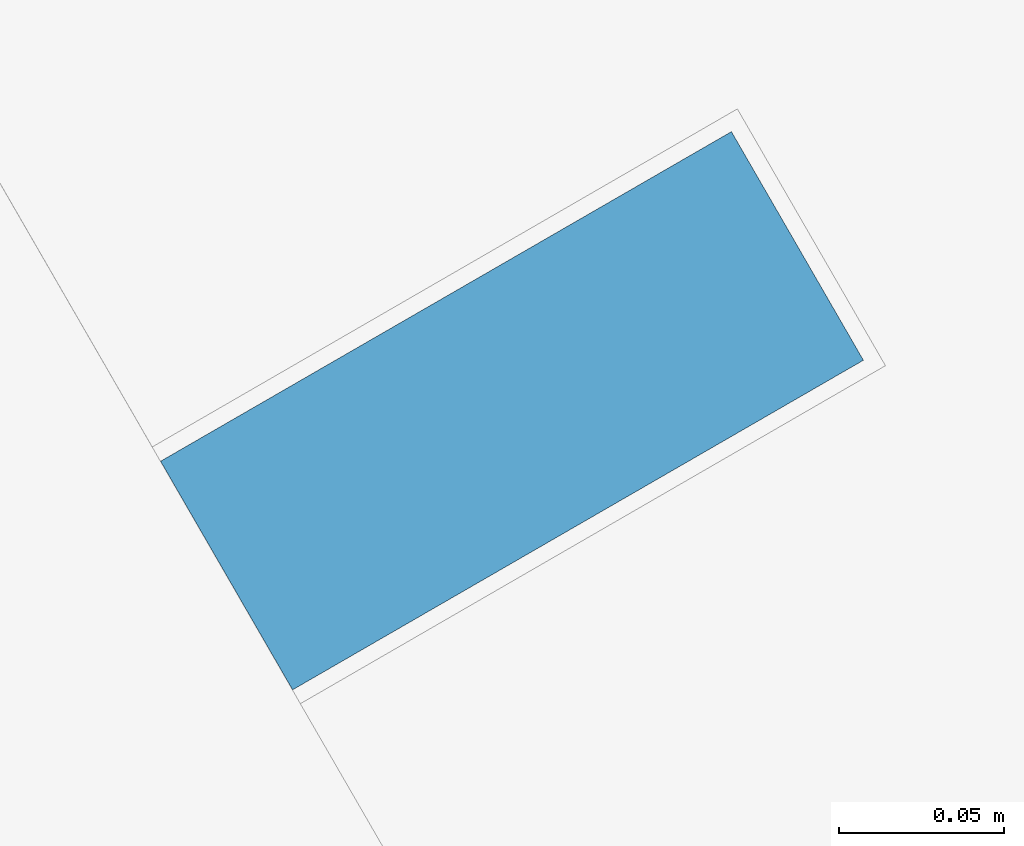
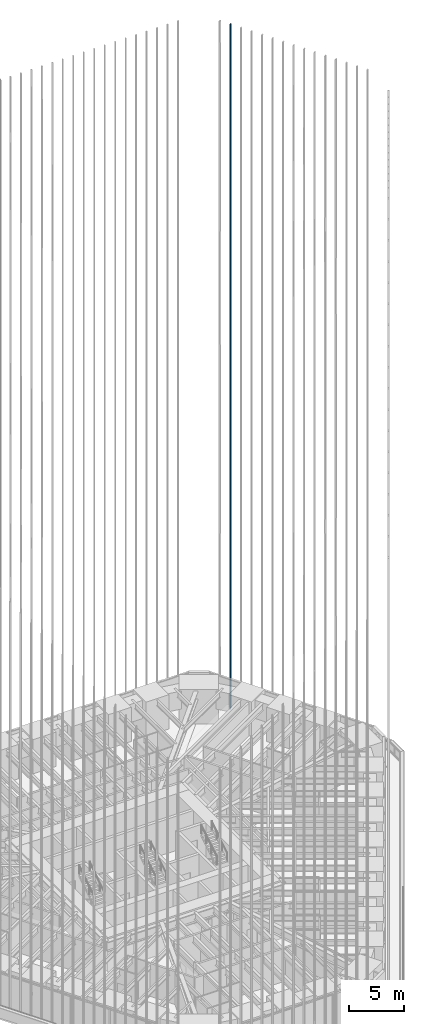
# One storey, part 226 of 238: 1 member, 1 element without a shape of its own.
"""IFC4 building model written with IfcOpenShell, lengths in metres."""

from ifc_helpers import new_model, si_unit, direction, frame, origin, origin_2d, place, context, subcontext, project, spatial, rectangle, extrude, material, material_profile, profile_set, type_object, element, aggregate, save


model = new_model("IFC4")

# Units and contexts
model_context = context("Model", 3, precision=1e-05, world=origin(), true_north=direction((0.0, 1.0)))
body_context = subcontext(model_context, "Body", "Model", "MODEL_VIEW")
ifc_project = project(units=[si_unit("LENGTHUNIT", "METRE"), si_unit("AREAUNIT", "SQUARE_METRE"), si_unit("VOLUMEUNIT", "CUBIC_METRE"), si_unit("PLANEANGLEUNIT", "RADIAN"), si_unit("MASSUNIT", "GRAM", prefix="KILO")], contexts=[model_context])

# Site, building, storey
site_placement = place(None, origin())
site = spatial("IfcSite", under=ifc_project, at=site_placement, CompositionType="ELEMENT")
building_placement = place(site_placement, origin())
building = spatial("IfcBuilding", under=site, at=building_placement, Name="Sandreach Pilgrim Tower", CompositionType="ELEMENT")
storey_placement = place(building_placement, frame((0.0, 0.0, 96.800048828125)))
storey = spatial("IfcBuildingStorey", under=building, at=storey_placement, Name="L23", CompositionType="ELEMENT", Elevation=96.800048828125)

# Curtain wall, member
ifc_material_1 = material(Name="Aluminium framed curtain wall", Category="aluminium")
curtain_wall_type = type_object("IfcCurtainWallType", Name="Hotel tower curtain wall", PredefinedType="NOTDEFINED", material=ifc_material_1)
curtain_wall_placement = place(storey_placement, origin())
curtain_wall = element("IfcCurtainWall", 1, at=curtain_wall_placement, inside=storey, type_object=curtain_wall_type, Name="CW-2 L23 NE", PredefinedType="NOTDEFINED")
ifc_material_2 = material(Name="Extruded terracotta on aluminium core", Category="masonry")
ifc_material_profile = material_profile(ifc_material_2, rectangle(XDim=0.080078125, YDim=0.199951171875, at=origin_2d()), Name="TBE 80X200")
ifc_profile_set = profile_set([ifc_material_profile], Name="Extruded terracotta on aluminium core")
member_type = type_object("IfcMemberType", Name="Terracotta baguette east", PredefinedType="USERDEFINED", material=ifc_profile_set)
member_placement = place(storey_placement, frame((21.44580078125, 20.039306640625, 0.0), z_axis=(0.0, 0.0, 1.0), x_axis=(0.5, -0.866025403784, 0.0)))
member = element("IfcMember", 2, at=member_placement, type_object=member_type, Name="Baguette Z2 NE02", ObjectType="BAGUETTE", PredefinedType="USERDEFINED", context=body_context, shape_type="SweptSolid", body=[
    extrude(rectangle(XDim=0.080078125, YDim=0.199951171875, at=origin_2d()), origin(), (0.0, 0.0, 1.0), 75.83984375),
])
aggregate(curtain_wall, [member])

save(model, "model.ifc")
